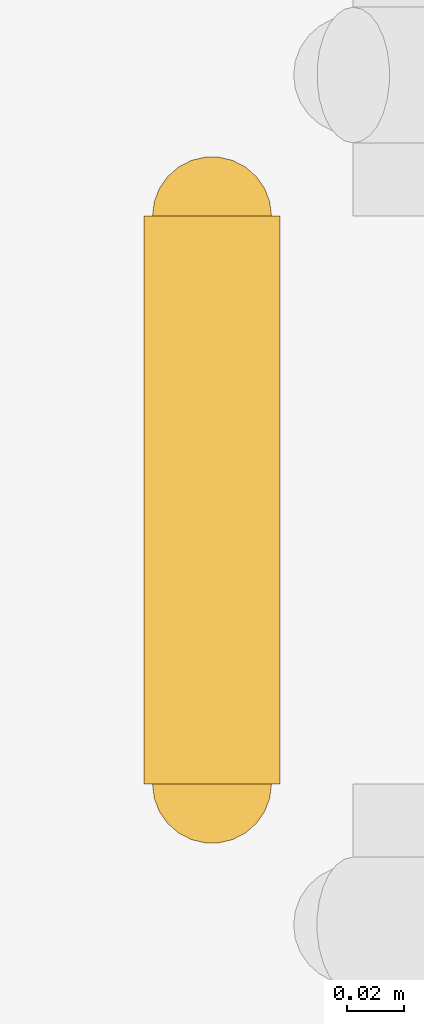
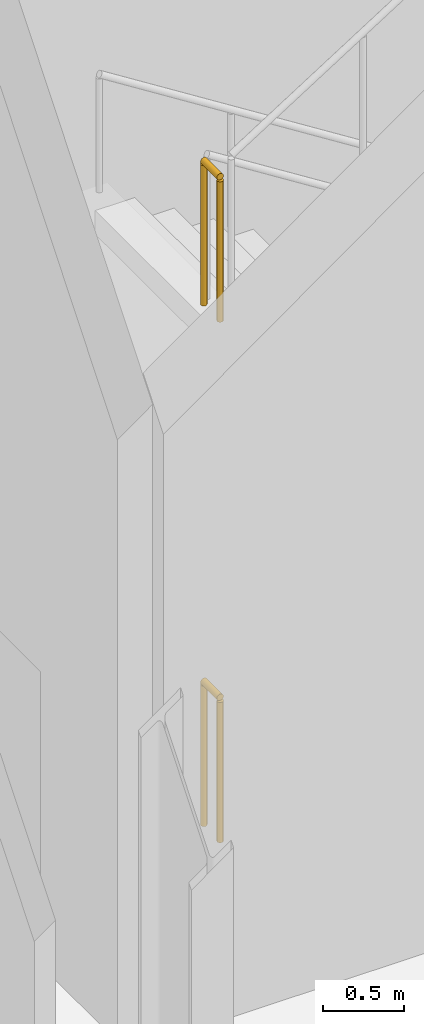
# One storey, part 161 of 176: 2 railings.
"""IFC4 building model written with IfcOpenShell, lengths in metres."""

import ifcopenshell
import ifcopenshell.guid

model = None  # the IFC model being written
_history = None  # IfcOwnerHistory: only IFC2X3 demands one
_inside = {}  # id of a spatial element -> (the spatial element, [elements in it])
_under = {}  # id of a project, library or spatial element -> (it, [spatial elements below it])
_declared = {}  # id of a project -> (the project, [libraries it declares])
_typed = {}  # id of a type object -> (the type object, [elements of that type])
_made_of = {}  # id of a material, layer set ... -> (it, [elements and type objects made of it])


def new_model(schema):
    """Start an empty IFC model of exactly this schema.

    Asked for "IFC4X3", IfcOpenShell would pick the latest addendum, in which some entities
    have other attributes; the version numbers below select the first issue.
    IFC2X3 requires an IfcOwnerHistory on every rooted entity: one is made here for all.
    """
    global model, _history
    if schema == "IFC4X3":
        model = ifcopenshell.file(schema_version=(4, 3, 0, 0))
    else:
        model = ifcopenshell.file(schema=schema)
    _inside.clear()
    _under.clear()
    _declared.clear()
    _typed.clear()
    _made_of.clear()
    _history = None
    if model.schema == "IFC2X3":
        org = make("IfcOrganization", Name="unknown")
        user = make(
            "IfcPersonAndOrganization",
            ThePerson=make("IfcPerson", FamilyName="unknown"),
            TheOrganization=org,
        )
        app = make(
            "IfcApplication",
            ApplicationDeveloper=org,
            Version="unknown",
            ApplicationFullName="unknown",
            ApplicationIdentifier="unknown",
        )
        _history = make(
            "IfcOwnerHistory",
            OwningUser=user,
            OwningApplication=app,
            ChangeAction="ADDED",
            CreationDate=0,
        )
    return model


def make(cls, **values):
    """One entity of the class cls with the attributes given. An attribute that is None is left unset."""
    return model.create_entity(
        cls, **{name: value for name, value in values.items() if value is not None}
    )


def rooted(cls, **values):
    """An entity with a GlobalId (a new one), such as an element, a storey or a relation."""
    return make(cls, GlobalId=ifcopenshell.guid.new(), OwnerHistory=_history, **values)


def si_unit(unit_type, name, prefix=None):
    """IfcSIUnit, for example si_unit("LENGTHUNIT", "METRE", prefix="MILLI")."""
    return make("IfcSIUnit", UnitType=unit_type, Prefix=prefix, Name=name)


def assignment(units):
    """IfcUnitAssignment: the units of a project."""
    return None if units is None else make("IfcUnitAssignment", Units=units)


def point(xyz):
    """IfcCartesianPoint."""
    return None if xyz is None else make("IfcCartesianPoint", Coordinates=xyz)


def direction(xyz):
    """IfcDirection."""
    return None if xyz is None else make("IfcDirection", DirectionRatios=xyz)


def frame(location, z_axis=None, x_axis=None):
    """IfcAxis2Placement3D, a coordinate frame: its origin and axes. An axis left out is left unset."""
    return make(
        "IfcAxis2Placement3D",
        Location=point(location),
        Axis=direction(z_axis),
        RefDirection=direction(x_axis),
    )


def frame_2d(location, x_axis=None):
    """IfcAxis2Placement2D, a coordinate frame in the plane: its origin and x axis."""
    return make(
        "IfcAxis2Placement2D", Location=point(location), RefDirection=direction(x_axis)
    )


def origin():
    """The frame at (0, 0, 0) with its axes left unset."""
    return frame((0.0, 0.0, 0.0))


def origin_2d():
    """The frame at (0, 0) in the plane with its x axis left unset."""
    return frame_2d((0.0, 0.0))


def place(relative_to, where):
    """IfcLocalPlacement: puts the frame where relative to a parent placement (None: the world)."""
    return make(
        "IfcLocalPlacement", PlacementRelTo=relative_to, RelativePlacement=where
    )


def context(
    kind, dimensions, precision=None, world=None, true_north=None, identifier=None
):
    """IfcGeometricRepresentationContext, for example the 3D "Model" context."""
    return make(
        "IfcGeometricRepresentationContext",
        ContextIdentifier=identifier,
        ContextType=kind,
        CoordinateSpaceDimension=dimensions,
        Precision=precision,
        WorldCoordinateSystem=world,
        TrueNorth=true_north,
    )


def subcontext(parent, identifier, kind, view, scale=None):
    """IfcGeometricRepresentationSubContext, for example "Body" below "Model"."""
    return make(
        "IfcGeometricRepresentationSubContext",
        ContextIdentifier=identifier,
        ContextType=kind,
        ParentContext=parent,
        TargetScale=scale,
        TargetView=view,
    )


def project(units=None, contexts=None):
    """IfcProject with its units and contexts."""
    return rooted(
        "IfcProject",
        Name="project",
        RepresentationContexts=contexts,
        UnitsInContext=assignment(units),
    )


def spatial(cls, under=None, at=None, **own):
    """A site, building, storey or space (cls), placed at a placement, below another one or the project."""
    s = rooted(cls, ObjectPlacement=at, **own)
    if under is not None:
        _under.setdefault(under.id(), (under, []))[1].append(s)
    return s


def profile(cls, at=None, kind="AREA", **sizes):
    """A parametric profile (cls). Its sizes go by their IFC names, for example OverallWidth=200.0."""
    return make(cls, ProfileType=kind, Position=at, **sizes)


def circle(**sizes):
    """IfcCircleProfileDef."""
    return profile("IfcCircleProfileDef", **sizes)


def extrude(swept, where, along, depth):
    """IfcExtrudedAreaSolid: the profile swept, set in the frame where, extruded along a direction by depth."""
    return make(
        "IfcExtrudedAreaSolid",
        SweptArea=swept,
        Position=where,
        ExtrudedDirection=direction(along),
        Depth=depth,
    )


def shape(context_of_items, identifier, shape_type, items):
    """IfcShapeRepresentation: the items that make up one representation, for example the "Body"."""
    return make(
        "IfcShapeRepresentation",
        ContextOfItems=context_of_items,
        RepresentationIdentifier=identifier,
        RepresentationType=shape_type,
        Items=items,
    )


def material(Name=None, Category=None):
    """IfcMaterial."""
    return make("IfcMaterial", Name=Name, Category=Category)


def made_of(thing, what):
    """Note that an element or type object is made of a material, layer set ...; save() writes the relation."""
    if what is not None:
        _made_of.setdefault(what.id(), (what, []))[1].append(thing)
    return thing


def type_object(cls, material=None, **own):
    """A type object (cls), such as IfcWallType, which elements share."""
    return made_of(rooted(cls, **own), material)


def element(
    cls,
    number,
    at=None,
    inside=None,
    cuts=None,
    type_object=None,
    material=None,
    context=None,
    identifier="Body",
    shape_type=None,
    held_by="IfcProductDefinitionShape",
    body=None,
    shapes=None,
    **own,
):
    """One element of the class cls, such as IfcWall. Its Tag is "e" and its number.

    at: its placement. inside: the storey or other place that contains it. cuts: it is an
    opening in that element (IfcRelVoidsElement). A single representation is given by context,
    identifier, shape_type and body (its items); several are given by shapes. held_by: the class
    of the entity that holds the representations. save() writes the other relations.
    """
    e = rooted(cls, Tag="e%d" % number, ObjectPlacement=at, **own)
    if body is not None:
        shapes = [shape(context, identifier, shape_type, body)]
    if shapes is not None:
        e.Representation = make(held_by, Representations=shapes)
    if inside is not None:
        _inside.setdefault(inside.id(), (inside, []))[1].append(e)
    if cuts is not None:
        rooted(
            "IfcRelVoidsElement", RelatingBuildingElement=cuts, RelatedOpeningElement=e
        )
    if type_object is not None:
        _typed.setdefault(type_object.id(), (type_object, []))[1].append(e)
    return made_of(e, material)


def aggregate(whole, parts):
    """IfcRelAggregates: a whole, such as a stair, and the parts it consists of."""
    return rooted("IfcRelAggregates", RelatingObject=whole, RelatedObjects=parts)


def save(model, path):
    """Write the relations noted so far, then the file.

    IfcRelAggregates (storeys below a building ...), IfcRelContainedInSpatialStructure (elements
    in a storey), IfcRelDefinesByType, IfcRelAssociatesMaterial and IfcRelDeclares: one each for
    every whole, place, type object, material and project.
    """
    for whole, parts in _under.values():
        aggregate(whole, parts)
    for where, things in _inside.values():
        rooted(
            "IfcRelContainedInSpatialStructure",
            RelatedElements=things,
            RelatingStructure=where,
        )
    for kind, things in _typed.values():
        rooted("IfcRelDefinesByType", RelatedObjects=things, RelatingType=kind)
    for what, things in _made_of.values():
        rooted("IfcRelAssociatesMaterial", RelatedObjects=things, RelatingMaterial=what)
    for by, libraries in _declared.values():
        rooted("IfcRelDeclares", RelatingContext=by, RelatedDefinitions=libraries)
    model.write(path)


model = new_model("IFC4")

# Units and contexts
model_context = context("Model", 3, precision=1e-05, world=origin(), true_north=direction((0.0, 1.0)))
body_context = subcontext(model_context, "Body", "Model", "MODEL_VIEW")
ifc_project = project(units=[si_unit("LENGTHUNIT", "METRE"), si_unit("AREAUNIT", "SQUARE_METRE"), si_unit("VOLUMEUNIT", "CUBIC_METRE"), si_unit("PLANEANGLEUNIT", "RADIAN"), si_unit("MASSUNIT", "GRAM", prefix="KILO")], contexts=[model_context])

# Site, building, storey
site_placement = place(None, origin())
site = spatial("IfcSite", under=ifc_project, at=site_placement, CompositionType="ELEMENT")
building_placement = place(site_placement, origin())
building = spatial("IfcBuilding", under=site, at=building_placement, Name="Vekula Escarpment Museum", CompositionType="ELEMENT")
storey_placement = place(building_placement, origin())
storey = spatial("IfcBuildingStorey", under=building, at=storey_placement, Name="L01", CompositionType="ELEMENT", Elevation=0.0)

# Railings
ifc_material = material(Name="Painted Steel S355 stair guard", Category="steel")
railing_type = type_object("IfcRailingType", Name="RL-STAIR-GUARD", PredefinedType="GUARDRAIL", material=ifc_material)
for number, where, name in (
    (1, (119.8701171875, 55.419921875, 3.89990234375), "L01 ST-08 stair guard 4"),
    (2, (119.8701171875, 55.419921875, 0.0), "L01 ST-08 stair guard 8"),
):
    element("IfcRailing", number, at=place(storey_placement, frame(where)), inside=storey, type_object=railing_type, Name=name, PredefinedType="GUARDRAIL", context=body_context, shape_type="SweptSolid", body=[
        extrude(circle(Radius=0.02392578125, at=origin_2d()), frame((0.0, 0.0, 1.076171875), z_axis=(0.0, 1.0, 0.0), x_axis=(-1.0, 0.0, 0.0)), (0.0, 0.0, 1.0), 0.2001953125),
        extrude(circle(Radius=0.02099609375, at=origin_2d()), origin(), (0.0, 0.0, 1.0), 1.052001953125),
        extrude(circle(Radius=0.02099609375, at=origin_2d()), frame((0.0, 0.2001953125, 0.0)), (0.0, 0.0, 1.0), 1.052001953125),
    ])

save(model, "model.ifc")
